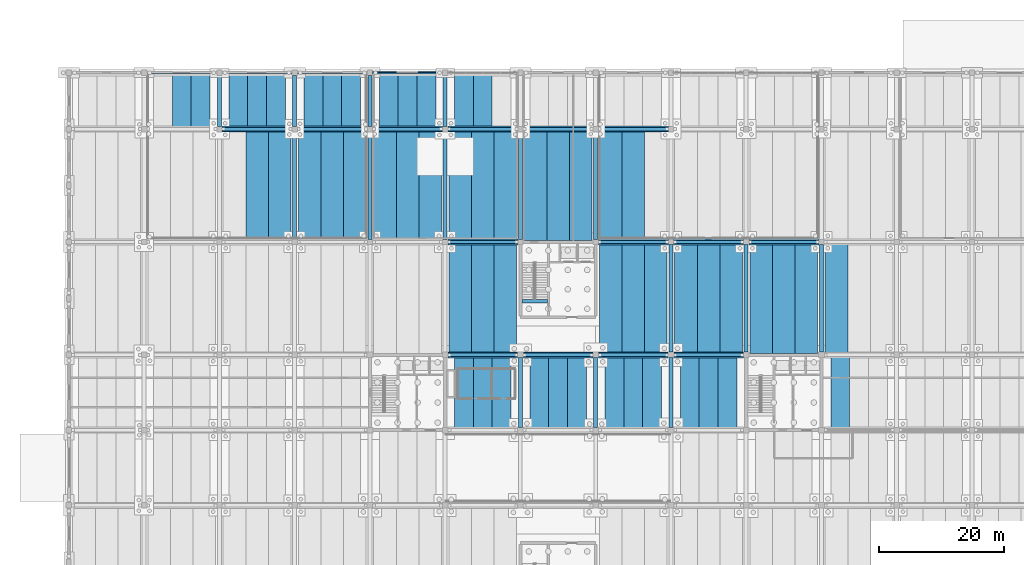
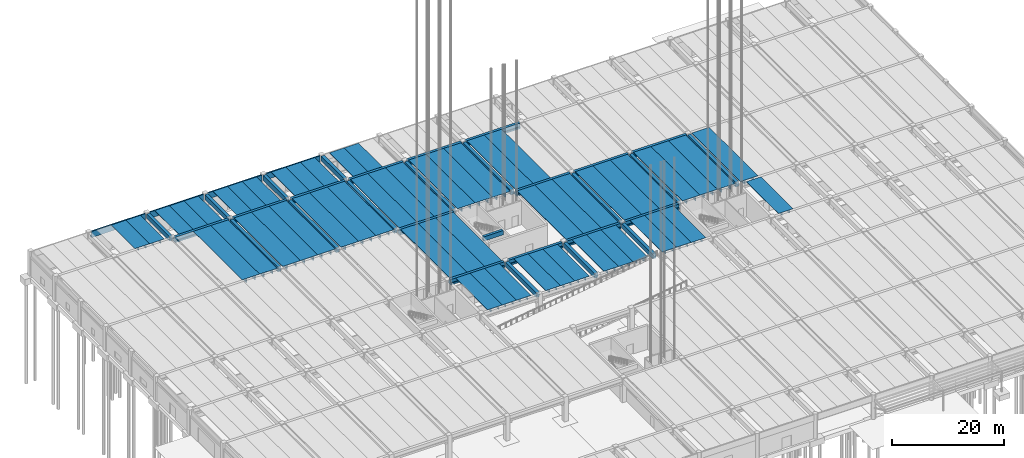
# One storey, part 15 of 59: 89 beams.
"""IFC4 building model written with IfcOpenShell, lengths in metres."""

from ifc_helpers import new_model, si_unit, direction, frame, origin, origin_2d, place, context, subcontext, project, spatial, polyline, rectangle, outline, extrude, material, material_profile, profile_set, type_object, element, save


model = new_model("IFC4")

# Units and contexts
model_context = context("Model", 3, precision=1e-05, world=origin(), true_north=direction((0.0, 1.0)))
body_context = subcontext(model_context, "Body", "Model", "MODEL_VIEW")
ifc_project = project(units=[si_unit("LENGTHUNIT", "METRE"), si_unit("AREAUNIT", "SQUARE_METRE"), si_unit("VOLUMEUNIT", "CUBIC_METRE"), si_unit("PLANEANGLEUNIT", "RADIAN"), si_unit("MASSUNIT", "GRAM", prefix="KILO")], contexts=[model_context])

# Site, building, storey
site_placement = place(None, origin())
site = spatial("IfcSite", under=ifc_project, at=site_placement, CompositionType="ELEMENT")
building_placement = place(site_placement, origin())
building = spatial("IfcBuilding", under=site, at=building_placement, Name="Girod Span Mobility Hub", CompositionType="ELEMENT")
storey_placement = place(building_placement, origin())
storey = spatial("IfcBuildingStorey", under=building, at=storey_placement, Name="L00", CompositionType="ELEMENT", Elevation=0.0)

# Beams
ifc_material_1 = material(Name="Concrete C50/60", Category="concrete")
ifc_material_profile_1 = material_profile(ifc_material_1, outline(polyline([(-1.5, 0.35009765625), (-1.5, 0.2548828125), (-0.840087890625, 0.2548828125), (-0.81494140625, -0.35009765625), (-0.68505859375, -0.35009765625), (-0.659912109375, 0.2548828125), (0.659912109375, 0.2548828125), (0.68505859375, -0.35009765625), (0.81494140625, -0.35009765625), (0.840087890625, 0.2548828125), (1.5, 0.2548828125), (1.5, 0.35009765625), (-1.5, 0.35009765625)])), Name="DT-3000X700")
ifc_profile_set_1 = profile_set([ifc_material_profile_1], Name="Concrete C50/60")
beam_type_1 = type_object("IfcBeamType", Name="BM-DT-3000X700", PredefinedType="JOIST", material=ifc_profile_set_1)
for number, where, z_axis, x_axis, name in (
    (1, (18.0, 105.27197265625, 4.85009765625), (0.0, 1.0, 0.0), (-1.0, 0.0, 0.0), "Double-Tee Deck 2/H-2 L00"),
    (2, (21.0, 105.27197265625, 4.85009765625), (0.0, 1.0, 0.0), (-1.0, 0.0, 0.0), "Double-Tee Deck 2/H-3 L00"),
    (3, (27.0, 105.27197265625, 4.85009765625), (0.0, 1.0, 0.0), (-1.0, 0.0, 0.0), "Double-Tee Deck 3/H-1 L00"),
    (4, (30.0, 105.27197265625, 4.85009765625), (0.0, 1.0, 0.0), (-1.0, 0.0, 0.0), "Double-Tee Deck 3/H-2 L00"),
    (5, (33.0, 105.27197265625, 4.85009765625), (0.0, 1.0, 0.0), (-1.0, 0.0, 0.0), "Double-Tee Deck 3/H-3 L00"),
    (6, (39.0, 105.27197265625, 4.85009765625), (0.0, 1.0, 0.0), (-1.0, 0.0, 0.0), "Double-Tee Deck 4/H-1 L00"),
    (7, (42.0, 105.27197265625, 4.85009765625), (0.0, 1.0, 0.0), (-1.0, 0.0, 0.0), "Double-Tee Deck 4/H-2 L00"),
    (8, (45.0, 105.27197265625, 4.85009765625), (0.0, 1.0, 0.0), (-1.0, 0.0, 0.0), "Double-Tee Deck 4/H-3 L00"),
    (9, (51.0, 105.27197265625, 4.85009765625), (0.0, 1.0, 0.0), (-1.0, 0.0, 0.0), "Double-Tee Deck 5/H-1 L00"),
    (10, (54.0, 105.27197265625, 4.85009765625), (0.0, 1.0, 0.0), (-1.0, 0.0, 0.0), "Double-Tee Deck 5/H-2 L00"),
    (11, (57.0, 105.27197265625, 4.85009765625), (0.0, 1.0, 0.0), (-1.0, 0.0, 0.0), "Double-Tee Deck 5/H-3 L00"),
):
    element("IfcBeam", number, at=place(storey_placement, frame(where, z_axis=z_axis, x_axis=x_axis)), inside=storey, type_object=beam_type_1, Name=name, PredefinedType="JOIST", context=body_context, shape_type="SweptSolid", body=[
        extrude(outline(polyline([(-1.5, 0.35009765625), (-1.5, 0.2548828125), (-0.840087890625, 0.2548828125), (-0.81494140625, -0.35009765625), (-0.68505859375, -0.35009765625), (-0.659912109375, 0.2548828125), (0.659912109375, 0.2548828125), (0.68505859375, -0.35009765625), (0.81494140625, -0.35009765625), (0.840087890625, 0.2548828125), (1.5, 0.2548828125), (1.5, 0.35009765625), (-1.5, 0.35009765625)])), origin(), (0.0, 0.0, 1.0), 8.506103515625),
    ])
for number, where, z_axis, x_axis, name in (
    (12, (63.0, 57.27197265625, 4.85009765625), (0.0, 1.0, 0.0), (-1.0, 0.0, 0.0), "Double-Tee Deck 6/E-1 L00"),
    (13, (66.0, 57.27197265625, 4.85009765625), (0.0, 1.0, 0.0), (-1.0, 0.0, 0.0), "Double-Tee Deck 6/E-2 L00"),
    (14, (69.0, 57.27197265625, 4.85009765625), (0.0, 1.0, 0.0), (-1.0, 0.0, 0.0), "Double-Tee Deck 6/E-3 L00"),
):
    element("IfcBeam", number, at=place(storey_placement, frame(where, z_axis=z_axis, x_axis=x_axis)), inside=storey, type_object=beam_type_1, Name=name, PredefinedType="JOIST", context=body_context, shape_type="SweptSolid", body=[
        extrude(outline(polyline([(-1.5, 0.35009765625), (-1.5, 0.2548828125), (-0.840087890625, 0.2548828125), (-0.81494140625, -0.35009765625), (-0.68505859375, -0.35009765625), (-0.659912109375, 0.2548828125), (0.659912109375, 0.2548828125), (0.68505859375, -0.35009765625), (0.81494140625, -0.35009765625), (0.840087890625, 0.2548828125), (1.5, 0.2548828125), (1.5, 0.35009765625), (-1.5, 0.35009765625)])), origin(), (0.0, 0.0, 1.0), 11.4560546875),
    ])
for number, where, z_axis, x_axis, name in (
    (15, (63.0, 105.27197265625, 4.85009765625), (0.0, 1.0, 0.0), (-1.0, 0.0, 0.0), "Double-Tee Deck 6/H-1 L00"),
    (16, (66.0, 105.27197265625, 4.85009765625), (0.0, 1.0, 0.0), (-1.0, 0.0, 0.0), "Double-Tee Deck 6/H-2 L00"),
):
    element("IfcBeam", number, at=place(storey_placement, frame(where, z_axis=z_axis, x_axis=x_axis)), inside=storey, type_object=beam_type_1, Name=name, PredefinedType="JOIST", context=body_context, shape_type="SweptSolid", body=[
        extrude(outline(polyline([(-1.5, 0.35009765625), (-1.5, 0.2548828125), (-0.840087890625, 0.2548828125), (-0.81494140625, -0.35009765625), (-0.68505859375, -0.35009765625), (-0.659912109375, 0.2548828125), (0.659912109375, 0.2548828125), (0.68505859375, -0.35009765625), (0.81494140625, -0.35009765625), (0.840087890625, 0.2548828125), (1.5, 0.2548828125), (1.5, 0.35009765625), (-1.5, 0.35009765625)])), origin(), (0.0, 0.0, 1.0), 8.506103515625),
    ])
for number, where, z_axis, x_axis, name in (
    (17, (75.0, 57.27197265625, 4.85009765625), (0.0, 1.0, 0.0), (-1.0, 0.0, 0.0), "Double-Tee Deck 7/E-1 L00"),
    (18, (78.0, 57.27197265625, 4.85009765625), (0.0, 1.0, 0.0), (-1.0, 0.0, 0.0), "Double-Tee Deck 7/E-2 L00"),
    (19, (81.0, 57.27197265625, 4.85009765625), (0.0, 1.0, 0.0), (-1.0, 0.0, 0.0), "Double-Tee Deck 7/E-3 L00"),
    (20, (87.0, 57.27197265625, 4.85009765625), (0.0, 1.0, 0.0), (-1.0, 0.0, 0.0), "Double-Tee Deck 8/E-1 L00"),
    (21, (90.0, 57.27197265625, 4.85009765625), (0.0, 1.0, 0.0), (-1.0, 0.0, 0.0), "Double-Tee Deck 8/E-2 L00"),
    (22, (93.0, 57.27197265625, 4.85009765625), (0.0, 1.0, 0.0), (-1.0, 0.0, 0.0), "Double-Tee Deck 8/E-3 L00"),
    (23, (99.0, 57.27197265625, 4.85009765625), (0.0, 1.0, 0.0), (-1.0, 0.0, 0.0), "Double-Tee Deck 9/E-1 L00"),
    (24, (102.0, 57.27197265625, 4.85009765625), (0.0, 1.0, 0.0), (-1.0, 0.0, 0.0), "Double-Tee Deck 9/E-2 L00"),
    (25, (105.0, 57.27197265625, 4.85009765625), (0.0, 1.0, 0.0), (-1.0, 0.0, 0.0), "Double-Tee Deck 9/E-3 L00"),
    (26, (123.0, 57.27197265625, 4.85009765625), (0.0, 1.0, 0.0), (-1.0, 0.0, 0.0), "Double-Tee Deck 11/E-1 L00"),
):
    element("IfcBeam", number, at=place(storey_placement, frame(where, z_axis=z_axis, x_axis=x_axis)), inside=storey, type_object=beam_type_1, Name=name, PredefinedType="JOIST", context=body_context, shape_type="SweptSolid", body=[
        extrude(outline(polyline([(-1.5, 0.35009765625), (-1.5, 0.2548828125), (-0.840087890625, 0.2548828125), (-0.81494140625, -0.35009765625), (-0.68505859375, -0.35009765625), (-0.659912109375, 0.2548828125), (0.659912109375, 0.2548828125), (0.68505859375, -0.35009765625), (0.81494140625, -0.35009765625), (0.840087890625, 0.2548828125), (1.5, 0.2548828125), (1.5, 0.35009765625), (-1.5, 0.35009765625)])), origin(), (0.0, 0.0, 1.0), 11.4560546875),
    ])
ifc_material_2 = material(Name="Concrete C50/60", Category="concrete")
ifc_material_profile_2 = material_profile(ifc_material_2, outline(polyline([(-1.800048828125, 0.47509765625), (-1.800048828125, 0.364990234375), (-1.010009765625, 0.364990234375), (-0.97509765625, -0.47509765625), (-0.824951171875, -0.47509765625), (-0.7900390625, 0.364990234375), (0.7900390625, 0.364990234375), (0.824951171875, -0.47509765625), (0.97509765625, -0.47509765625), (1.010009765625, 0.364990234375), (1.800048828125, 0.364990234375), (1.800048828125, 0.47509765625), (-1.800048828125, 0.47509765625)])), Name="DT-3600X950")
ifc_profile_set_2 = profile_set([ifc_material_profile_2], Name="Concrete C50/60")
beam_type_2 = type_object("IfcBeamType", Name="BM-DT-3600X950", PredefinedType="JOIST", material=ifc_profile_set_2)
for number, where, z_axis, x_axis, name in (
    (27, (30.0, 87.27197265625, 4.72509765625), (0.0, 1.0, 0.0), (-1.0, 0.0, 0.0), "Double-Tee Deck 3/G-2 L00"),
    (28, (33.60009765625, 87.27197265625, 4.72509765625), (0.0, 1.0, 0.0), (-1.0, 0.0, 0.0), "Double-Tee Deck 3/G-3 L00"),
    (29, (38.39990234375, 87.27197265625, 4.72509765625), (0.0, 1.0, 0.0), (-1.0, 0.0, 0.0), "Double-Tee Deck 4/G-1 L00"),
    (30, (42.0, 87.27197265625, 4.72509765625), (0.0, 1.0, 0.0), (-1.0, 0.0, 0.0), "Double-Tee Deck 4/G-2 L00"),
    (31, (45.60009765625, 87.27197265625, 4.72509765625), (0.0, 1.0, 0.0), (-1.0, 0.0, 0.0), "Double-Tee Deck 4/G-3 L00"),
    (32, (50.39990234375, 87.27197265625, 4.72509765625), (0.0, 1.0, 0.0), (-1.0, 0.0, 0.0), "Double-Tee Deck 5/G-1 L00"),
    (33, (54.0, 87.27197265625, 4.72509765625), (0.0, 1.0, 0.0), (-1.0, 0.0, 0.0), "Double-Tee Deck 5/G-2 L00"),
    (34, (57.60009765625, 87.27197265625, 4.72509765625), (0.0, 1.0, 0.0), (-1.0, 0.0, 0.0), "Double-Tee Deck 5/G-3 L00"),
    (35, (62.39990234375, 69.27197265625, 4.72509765625), (0.0, 1.0, 0.0), (-1.0, 0.0, 0.0), "Double-Tee Deck 6/F-1 L00"),
    (36, (66.0, 69.27197265625, 4.72509765625), (0.0, 1.0, 0.0), (-1.0, 0.0, 0.0), "Double-Tee Deck 6/F-2 L00"),
    (37, (69.60009765625, 69.27197265625, 4.72509765625), (0.0, 1.0, 0.0), (-1.0, 0.0, 0.0), "Double-Tee Deck 6/F-3 L00"),
    (38, (62.39990234375, 87.27197265625, 4.72509765625), (0.0, 1.0, 0.0), (-1.0, 0.0, 0.0), "Double-Tee Deck 6/G-1 L00"),
    (39, (66.0, 87.27197265625, 4.72509765625), (0.0, 1.0, 0.0), (-1.0, 0.0, 0.0), "Double-Tee Deck 6/G-2 L00"),
    (40, (69.60009765625, 87.27197265625, 4.72509765625), (0.0, 1.0, 0.0), (-1.0, 0.0, 0.0), "Double-Tee Deck 6/G-3 L00"),
):
    element("IfcBeam", number, at=place(storey_placement, frame(where, z_axis=z_axis, x_axis=x_axis)), inside=storey, type_object=beam_type_2, Name=name, PredefinedType="JOIST", context=body_context, shape_type="SweptSolid", body=[
        extrude(outline(polyline([(-1.800048828125, 0.47509765625), (-1.800048828125, 0.364990234375), (-1.010009765625, 0.364990234375), (-0.97509765625, -0.47509765625), (-0.824951171875, -0.47509765625), (-0.7900390625, 0.364990234375), (0.7900390625, 0.364990234375), (0.824951171875, -0.47509765625), (0.97509765625, -0.47509765625), (1.010009765625, 0.364990234375), (1.800048828125, 0.364990234375), (1.800048828125, 0.47509765625), (-1.800048828125, 0.47509765625)])), origin(), (0.0, 0.0, 1.0), 17.4560546875),
    ])
for number, where, z_axis, x_axis, name in (
    (41, (74.39990234375, 87.221923828125, 4.72509765625), (0.0, 1.0, 0.0), (-1.0, 0.0, 0.0), "Double-Tee Deck 7/G-1 L00"),
    (42, (78.0, 87.221923828125, 4.72509765625), (0.0, 1.0, 0.0), (-1.0, 0.0, 0.0), "Double-Tee Deck 7/G-2 L00"),
    (43, (81.60009765625, 87.221923828125, 4.72509765625), (0.0, 1.0, 0.0), (-1.0, 0.0, 0.0), "Double-Tee Deck 7/G-3 L00"),
):
    element("IfcBeam", number, at=place(storey_placement, frame(where, z_axis=z_axis, x_axis=x_axis)), inside=storey, type_object=beam_type_2, Name=name, PredefinedType="JOIST", context=body_context, shape_type="SweptSolid", body=[
        extrude(outline(polyline([(-1.800048828125, 0.47509765625), (-1.800048828125, 0.364990234375), (-1.010009765625, 0.364990234375), (-0.97509765625, -0.47509765625), (-0.824951171875, -0.47509765625), (-0.7900390625, 0.364990234375), (0.7900390625, 0.364990234375), (0.824951171875, -0.47509765625), (0.97509765625, -0.47509765625), (1.010009765625, 0.364990234375), (1.800048828125, 0.364990234375), (1.800048828125, 0.47509765625), (-1.800048828125, 0.47509765625)])), origin(), (0.0, 0.0, 1.0), 17.506103515625),
    ])
for number, where, z_axis, x_axis, name in (
    (44, (86.39990234375, 69.27197265625, 4.72509765625), (0.0, 1.0, 0.0), (-1.0, 0.0, 0.0), "Double-Tee Deck 8/F-1 L00"),
    (45, (90.0, 69.27197265625, 4.72509765625), (0.0, 1.0, 0.0), (-1.0, 0.0, 0.0), "Double-Tee Deck 8/F-2 L00"),
    (46, (93.60009765625, 69.27197265625, 4.72509765625), (0.0, 1.0, 0.0), (-1.0, 0.0, 0.0), "Double-Tee Deck 8/F-3 L00"),
    (47, (86.39990234375, 87.27197265625, 4.72509765625), (0.0, 1.0, 0.0), (-1.0, 0.0, 0.0), "Double-Tee Deck 8/G-1 L00"),
    (48, (90.0, 87.27197265625, 4.72509765625), (0.0, 1.0, 0.0), (-1.0, 0.0, 0.0), "Double-Tee Deck 8/G-2 L00"),
    (49, (98.39990234375, 69.27197265625, 4.72509765625), (0.0, 1.0, 0.0), (-1.0, 0.0, 0.0), "Double-Tee Deck 9/F-1 L00"),
    (50, (102.0, 69.27197265625, 4.72509765625), (0.0, 1.0, 0.0), (-1.0, 0.0, 0.0), "Double-Tee Deck 9/F-2 L00"),
    (51, (105.60009765625, 69.27197265625, 4.72509765625), (0.0, 1.0, 0.0), (-1.0, 0.0, 0.0), "Double-Tee Deck 9/F-3 L00"),
):
    element("IfcBeam", number, at=place(storey_placement, frame(where, z_axis=z_axis, x_axis=x_axis)), inside=storey, type_object=beam_type_2, Name=name, PredefinedType="JOIST", context=body_context, shape_type="SweptSolid", body=[
        extrude(outline(polyline([(-1.800048828125, 0.47509765625), (-1.800048828125, 0.364990234375), (-1.010009765625, 0.364990234375), (-0.97509765625, -0.47509765625), (-0.824951171875, -0.47509765625), (-0.7900390625, 0.364990234375), (0.7900390625, 0.364990234375), (0.824951171875, -0.47509765625), (0.97509765625, -0.47509765625), (1.010009765625, 0.364990234375), (1.800048828125, 0.364990234375), (1.800048828125, 0.47509765625), (-1.800048828125, 0.47509765625)])), origin(), (0.0, 0.0, 1.0), 17.4560546875),
    ])
for number, where, z_axis, x_axis, name in (
    (52, (110.39990234375, 69.2470703125, 4.72509765625), (0.0, 1.0, 0.0), (-1.0, 0.0, 0.0), "Double-Tee Deck 10/F-1 L00"),
    (53, (114.0, 69.2470703125, 4.72509765625), (0.0, 1.0, 0.0), (-1.0, 0.0, 0.0), "Double-Tee Deck 10/F-2 L00"),
    (54, (117.60009765625, 69.2470703125, 4.72509765625), (0.0, 1.0, 0.0), (-1.0, 0.0, 0.0), "Double-Tee Deck 10/F-3 L00"),
):
    element("IfcBeam", number, at=place(storey_placement, frame(where, z_axis=z_axis, x_axis=x_axis)), inside=storey, type_object=beam_type_2, Name=name, PredefinedType="JOIST", context=body_context, shape_type="SweptSolid", body=[
        extrude(outline(polyline([(-1.800048828125, 0.47509765625), (-1.800048828125, 0.364990234375), (-1.010009765625, 0.364990234375), (-0.97509765625, -0.47509765625), (-0.824951171875, -0.47509765625), (-0.7900390625, 0.364990234375), (0.7900390625, 0.364990234375), (0.824951171875, -0.47509765625), (0.97509765625, -0.47509765625), (1.010009765625, 0.364990234375), (1.800048828125, 0.364990234375), (1.800048828125, 0.47509765625), (-1.800048828125, 0.47509765625)])), origin(), (0.0, 0.0, 1.0), 17.48095703125),
    ])
beam_1_placement = place(storey_placement, frame((122.39990234375, 69.27197265625, 4.72509765625), z_axis=(0.0, 1.0, 0.0), x_axis=(-1.0, 0.0, 0.0)))
element("IfcBeam", 55, at=beam_1_placement, inside=storey, type_object=beam_type_2, Name="Double-Tee Deck 11/F-1 L00", PredefinedType="JOIST", context=body_context, shape_type="SweptSolid", body=[
    extrude(outline(polyline([(-1.800048828125, 0.47509765625), (-1.800048828125, 0.364990234375), (-1.010009765625, 0.364990234375), (-0.97509765625, -0.47509765625), (-0.824951171875, -0.47509765625), (-0.7900390625, 0.364990234375), (0.7900390625, 0.364990234375), (0.824951171875, -0.47509765625), (0.97509765625, -0.47509765625), (1.010009765625, 0.364990234375), (1.800048828125, 0.364990234375), (1.800048828125, 0.47509765625), (-1.800048828125, 0.47509765625)])), origin(), (0.0, 0.0, 1.0), 17.4560546875),
])
ifc_material_3 = material(Name="Concrete C50/60", Category="concrete")
ifc_material_profile_3 = material_profile(ifc_material_3, outline(polyline([(-0.47509765625, -0.52490234375), (0.47509765625, -0.52490234375), (0.47509765625, -0.175048828125), (0.27490234375, -0.175048828125), (0.27490234375, 0.52490234375), (-0.27490234375, 0.52490234375), (-0.27490234375, -0.175048828125), (-0.47509765625, -0.175048828125), (-0.47509765625, -0.52490234375)])), Name="IT-950X1050")
ifc_profile_set_3 = profile_set([ifc_material_profile_3], Name="Concrete C50/60")
beam_type_3 = type_object("IfcBeamType", Name="BM-IT-950X1050", PredefinedType="T_BEAM", material=ifc_profile_set_3)
for number, where, z_axis, x_axis, name in (
    (56, (60.447021484375, 69.0, 4.675048828125), (1.0, 0.0, 0.0), (0.0, 1.0, 0.0), "Girder 6-7/F L00"),
    (57, (72.447021484375, 69.0, 4.675048828125), (1.0, 0.0, 0.0), (0.0, 1.0, 0.0), "Girder 7-8/F L00"),
    (58, (84.447021484375, 69.0, 4.675048828125), (1.0, 0.0, 0.0), (0.0, 1.0, 0.0), "Girder 8-9/F L00"),
    (59, (96.447021484375, 69.0, 4.675048828125), (1.0, 0.0, 0.0), (0.0, 1.0, 0.0), "Girder 9-10/F L00"),
):
    element("IfcBeam", number, at=place(storey_placement, frame(where, z_axis=z_axis, x_axis=x_axis)), inside=storey, type_object=beam_type_3, Name=name, PredefinedType="T_BEAM", context=body_context, shape_type="SweptSolid", body=[
        extrude(outline(polyline([(-0.47509765625, -0.52490234375), (0.47509765625, -0.52490234375), (0.47509765625, -0.175048828125), (0.27490234375, -0.175048828125), (0.27490234375, 0.52490234375), (-0.27490234375, 0.52490234375), (-0.27490234375, -0.175048828125), (-0.47509765625, -0.175048828125), (-0.47509765625, -0.52490234375)])), origin(), (0.0, 0.0, 1.0), 11.10595703125),
    ])
for number, where, z_axis, x_axis, name in (
    (60, (60.422119140625, 87.0, 4.675048828125), (1.0, 0.0, 0.0), (0.0, 1.0, 0.0), "Girder 6-7/G L00"),
    (61, (84.422119140625, 87.0, 4.675048828125), (1.0, 0.0, 0.0), (0.0, 1.0, 0.0), "Girder 8-9/G L00"),
    (62, (96.422119140625, 87.0, 4.675048828125), (1.0, 0.0, 0.0), (0.0, 1.0, 0.0), "Girder 9-10/G L00"),
    (63, (108.422119140625, 87.0, 4.675048828125), (1.0, 0.0, 0.0), (0.0, 1.0, 0.0), "Girder 10-11/G L00"),
    (64, (24.422119140625, 105.0, 4.675048828125), (1.0, 0.0, 0.0), (0.0, 1.0, 0.0), "Girder 3-4/H L00"),
    (65, (36.422119140625, 105.0, 4.675048828125), (1.0, 0.0, 0.0), (0.0, 1.0, 0.0), "Girder 4-5/H L00"),
    (66, (48.422119140625, 105.0, 4.675048828125), (1.0, 0.0, 0.0), (0.0, 1.0, 0.0), "Girder 5-6/H L00"),
    (67, (60.422119140625, 105.0, 4.675048828125), (1.0, 0.0, 0.0), (0.0, 1.0, 0.0), "Girder 6-7/H L00"),
    (68, (72.422119140625, 105.0, 4.675048828125), (1.0, 0.0, 0.0), (0.0, 1.0, 0.0), "Girder 7-8/H L00"),
    (69, (84.422119140625, 105.0, 4.675048828125), (1.0, 0.0, 0.0), (0.0, 1.0, 0.0), "Girder 8-9/H L00"),
):
    element("IfcBeam", number, at=place(storey_placement, frame(where, z_axis=z_axis, x_axis=x_axis)), inside=storey, type_object=beam_type_3, Name=name, PredefinedType="T_BEAM", context=body_context, shape_type="SweptSolid", body=[
        extrude(outline(polyline([(-0.47509765625, -0.52490234375), (0.47509765625, -0.52490234375), (0.47509765625, -0.175048828125), (0.27490234375, -0.175048828125), (0.27490234375, 0.52490234375), (-0.27490234375, 0.52490234375), (-0.27490234375, -0.175048828125), (-0.47509765625, -0.175048828125), (-0.47509765625, -0.52490234375)])), origin(), (0.0, 0.0, 1.0), 11.15576171875),
    ])
ifc_material_4 = material(Name="Concrete C40/50", Category="concrete")
ifc_material_profile_4 = material_profile(ifc_material_4, rectangle(XDim=0.550048828125, YDim=0.949951171875, at=origin_2d()), Name="RK-550X950")
ifc_profile_set_4 = profile_set([ifc_material_profile_4], Name="Concrete C40/50")
beam_type_4 = type_object("IfcBeamType", Name="BM-RK-550X950", PredefinedType="BEAM", material=ifc_profile_set_4)
beam_2_placement = place(storey_placement, frame((72.221923828125, 77.550048828125, 4.72509765625), z_axis=(1.0, 0.0, 0.0), x_axis=(0.0, 1.0, 0.0)))
element("IfcBeam", 70, at=beam_2_placement, inside=storey, type_object=beam_type_4, Name="Stair ST-4 Landing Header Beam L00", PredefinedType="BEAM", context=body_context, shape_type="SweptSolid", body=[
    extrude(rectangle(XDim=0.550048828125, YDim=0.949951171875, at=origin_2d()), origin(), (0.0, 0.0, 1.0), 4.0810546875),
])
ifc_material_5 = material(Name="Concrete C40/50", Category="concrete")
ifc_material_profile_5 = material_profile(ifc_material_5, outline(polyline([(-0.22509765625, -0.675048828125), (0.22509765625, -0.675048828125), (0.22509765625, -0.324951171875), (0.02490234375, -0.324951171875), (0.02490234375, 0.675048828125), (-0.22509765625, 0.675048828125), (-0.22509765625, -0.675048828125)])), Name="SP-450X1350")
ifc_profile_set_5 = profile_set([ifc_material_profile_5], Name="Concrete C40/50")
beam_type_5 = type_object("IfcBeamType", Name="BM-SP-450X1350", PredefinedType="SPANDREL", material=ifc_profile_set_5)
for number, where, z_axis, x_axis, name in (
    (71, (12.422119140625, 114.0, 4.52490234375), (1.0, 0.0, 0.0), (0.0, 1.0, 0.0), "Girder 2-3/J L00"),
    (72, (24.422119140625, 114.0, 4.52490234375), (1.0, 0.0, 0.0), (0.0, 1.0, 0.0), "Girder 3-4/J L00"),
    (73, (36.422119140625, 114.0, 4.52490234375), (1.0, 0.0, 0.0), (0.0, 1.0, 0.0), "Girder 4-5/J L00"),
    (74, (48.422119140625, 114.0, 4.52490234375), (1.0, 0.0, 0.0), (0.0, 1.0, 0.0), "Girder 5-6/J L00"),
):
    element("IfcBeam", number, at=place(storey_placement, frame(where, z_axis=z_axis, x_axis=x_axis)), inside=storey, type_object=beam_type_5, Name=name, PredefinedType="SPANDREL", context=body_context, shape_type="SweptSolid", body=[
        extrude(outline(polyline([(-0.22509765625, -0.675048828125), (0.22509765625, -0.675048828125), (0.22509765625, -0.324951171875), (0.02490234375, -0.324951171875), (0.02490234375, 0.675048828125), (-0.22509765625, 0.675048828125), (-0.22509765625, -0.675048828125)])), origin(), (0.0, 0.0, 1.0), 11.15576171875),
    ])
ifc_material_6 = material(Name="Concrete C40/50", Category="concrete")
ifc_material_profile_6 = material_profile(ifc_material_6, rectangle(XDim=0.64990234375, YDim=1.0, at=origin_2d()), Name="TG-650X1000")
ifc_profile_set_6 = profile_set([ifc_material_profile_6], Name="Concrete C40/50")
beam_type_6 = type_object("IfcBeamType", Name="BM-TG-650X1000", PredefinedType="T_BEAM", material=ifc_profile_set_6)
beam_3_placement = place(storey_placement, frame((24.0, 105.422119140625, 4.699951171875), z_axis=(0.0, 1.0, 0.0), x_axis=(-1.0, 0.0, 0.0)))
element("IfcBeam", 75, at=beam_3_placement, inside=storey, type_object=beam_type_6, Name="Tie Girder 3/H-J L00", PredefinedType="T_BEAM", context=body_context, shape_type="SweptSolid", body=[
    extrude(rectangle(XDim=0.64990234375, YDim=1.0, at=origin_2d()), origin(), (0.0, 0.0, 1.0), 8.15576171875),
])
beam_4_placement = place(storey_placement, frame((36.0, 87.422119140625, 4.699951171875), z_axis=(0.0, 1.0, 0.0), x_axis=(-1.0, 0.0, 0.0)))
element("IfcBeam", 76, at=beam_4_placement, inside=storey, type_object=beam_type_6, Name="Tie Girder 4/G-H L00", PredefinedType="T_BEAM", context=body_context, shape_type="SweptSolid", body=[
    extrude(rectangle(XDim=0.64990234375, YDim=1.0, at=origin_2d()), origin(), (0.0, 0.0, 1.0), 17.15576171875),
])
beam_5_placement = place(storey_placement, frame((36.0, 105.422119140625, 4.699951171875), z_axis=(0.0, 1.0, 0.0), x_axis=(-1.0, 0.0, 0.0)))
element("IfcBeam", 77, at=beam_5_placement, inside=storey, type_object=beam_type_6, Name="Tie Girder 4/H-J L00", PredefinedType="T_BEAM", context=body_context, shape_type="SweptSolid", body=[
    extrude(rectangle(XDim=0.64990234375, YDim=1.0, at=origin_2d()), origin(), (0.0, 0.0, 1.0), 8.15576171875),
])
beam_6_placement = place(storey_placement, frame((48.0, 87.422119140625, 4.699951171875), z_axis=(0.0, 1.0, 0.0), x_axis=(-1.0, 0.0, 0.0)))
element("IfcBeam", 78, at=beam_6_placement, inside=storey, type_object=beam_type_6, Name="Tie Girder 5/G-H L00", PredefinedType="T_BEAM", context=body_context, shape_type="SweptSolid", body=[
    extrude(rectangle(XDim=0.64990234375, YDim=1.0, at=origin_2d()), origin(), (0.0, 0.0, 1.0), 17.15576171875),
])
beam_7_placement = place(storey_placement, frame((48.0, 105.422119140625, 4.699951171875), z_axis=(0.0, 1.0, 0.0), x_axis=(-1.0, 0.0, 0.0)))
element("IfcBeam", 79, at=beam_7_placement, inside=storey, type_object=beam_type_6, Name="Tie Girder 5/H-J L00", PredefinedType="T_BEAM", context=body_context, shape_type="SweptSolid", body=[
    extrude(rectangle(XDim=0.64990234375, YDim=1.0, at=origin_2d()), origin(), (0.0, 0.0, 1.0), 8.15576171875),
])
beam_8_placement = place(storey_placement, frame((60.0, 87.422119140625, 4.699951171875), z_axis=(0.0, 1.0, 0.0), x_axis=(-1.0, 0.0, 0.0)))
element("IfcBeam", 80, at=beam_8_placement, inside=storey, type_object=beam_type_6, Name="Tie Girder 6/G-H L00", PredefinedType="T_BEAM", context=body_context, shape_type="SweptSolid", body=[
    extrude(rectangle(XDim=0.64990234375, YDim=1.0, at=origin_2d()), origin(), (0.0, 0.0, 1.0), 17.15576171875),
])
beam_9_placement = place(storey_placement, frame((60.0, 105.422119140625, 4.699951171875), z_axis=(0.0, 1.0, 0.0), x_axis=(-1.0, 0.0, 0.0)))
element("IfcBeam", 81, at=beam_9_placement, inside=storey, type_object=beam_type_6, Name="Tie Girder 6/H-J L00", PredefinedType="T_BEAM", context=body_context, shape_type="SweptSolid", body=[
    extrude(rectangle(XDim=0.64990234375, YDim=1.0, at=origin_2d()), origin(), (0.0, 0.0, 1.0), 8.15576171875),
])
beam_10_placement = place(storey_placement, frame((72.0, 57.447021484375, 4.699951171875), z_axis=(0.0, 1.0, 0.0), x_axis=(-1.0, 0.0, 0.0)))
element("IfcBeam", 82, at=beam_10_placement, inside=storey, type_object=beam_type_6, Name="Tie Girder 7/E-F L00", PredefinedType="T_BEAM", context=body_context, shape_type="SweptSolid", body=[
    extrude(rectangle(XDim=0.64990234375, YDim=1.0, at=origin_2d()), origin(), (0.0, 0.0, 1.0), 11.10595703125),
])
beam_11_placement = place(storey_placement, frame((72.0, 87.422119140625, 4.699951171875), z_axis=(0.0, 1.0, 0.0), x_axis=(-1.0, 0.0, 0.0)))
element("IfcBeam", 83, at=beam_11_placement, inside=storey, type_object=beam_type_6, Name="Tie Girder 7/G-H L00", PredefinedType="T_BEAM", context=body_context, shape_type="SweptSolid", body=[
    extrude(rectangle(XDim=0.64990234375, YDim=1.0, at=origin_2d()), origin(), (0.0, 0.0, 1.0), 17.15576171875),
])
beam_12_placement = place(storey_placement, frame((84.0, 57.447021484375, 4.699951171875), z_axis=(0.0, 1.0, 0.0), x_axis=(-1.0, 0.0, 0.0)))
element("IfcBeam", 84, at=beam_12_placement, inside=storey, type_object=beam_type_6, Name="Tie Girder 8/E-F L00", PredefinedType="T_BEAM", context=body_context, shape_type="SweptSolid", body=[
    extrude(rectangle(XDim=0.64990234375, YDim=1.0, at=origin_2d()), origin(), (0.0, 0.0, 1.0), 11.10595703125),
])
beam_13_placement = place(storey_placement, frame((84.0, 87.422119140625, 4.699951171875), z_axis=(0.0, 1.0, 0.0), x_axis=(-1.0, 0.0, 0.0)))
element("IfcBeam", 85, at=beam_13_placement, inside=storey, type_object=beam_type_6, Name="Tie Girder 8/G-H L00", PredefinedType="T_BEAM", context=body_context, shape_type="SweptSolid", body=[
    extrude(rectangle(XDim=0.64990234375, YDim=1.0, at=origin_2d()), origin(), (0.0, 0.0, 1.0), 17.15576171875),
])
beam_14_placement = place(storey_placement, frame((96.0, 57.447021484375, 4.699951171875), z_axis=(0.0, 1.0, 0.0), x_axis=(-1.0, 0.0, 0.0)))
element("IfcBeam", 86, at=beam_14_placement, inside=storey, type_object=beam_type_6, Name="Tie Girder 9/E-F L00", PredefinedType="T_BEAM", context=body_context, shape_type="SweptSolid", body=[
    extrude(rectangle(XDim=0.64990234375, YDim=1.0, at=origin_2d()), origin(), (0.0, 0.0, 1.0), 11.10595703125),
])
for number, where, z_axis, x_axis, name in (
    (87, (96.0, 69.447021484375, 4.699951171875), (0.0, 1.0, 0.0), (-1.0, 0.0, 0.0), "Tie Girder 9/F-G L00"),
    (88, (108.0, 69.447021484375, 4.699951171875), (0.0, 1.0, 0.0), (-1.0, 0.0, 0.0), "Tie Girder 10/F-G L00"),
    (89, (120.0, 69.447021484375, 4.699951171875), (0.0, 1.0, 0.0), (-1.0, 0.0, 0.0), "Tie Girder 11/F-G L00"),
):
    element("IfcBeam", number, at=place(storey_placement, frame(where, z_axis=z_axis, x_axis=x_axis)), inside=storey, type_object=beam_type_6, Name=name, PredefinedType="T_BEAM", context=body_context, shape_type="SweptSolid", body=[
        extrude(rectangle(XDim=0.64990234375, YDim=1.0, at=origin_2d()), origin(), (0.0, 0.0, 1.0), 17.130859375),
    ])

save(model, "model.ifc")
